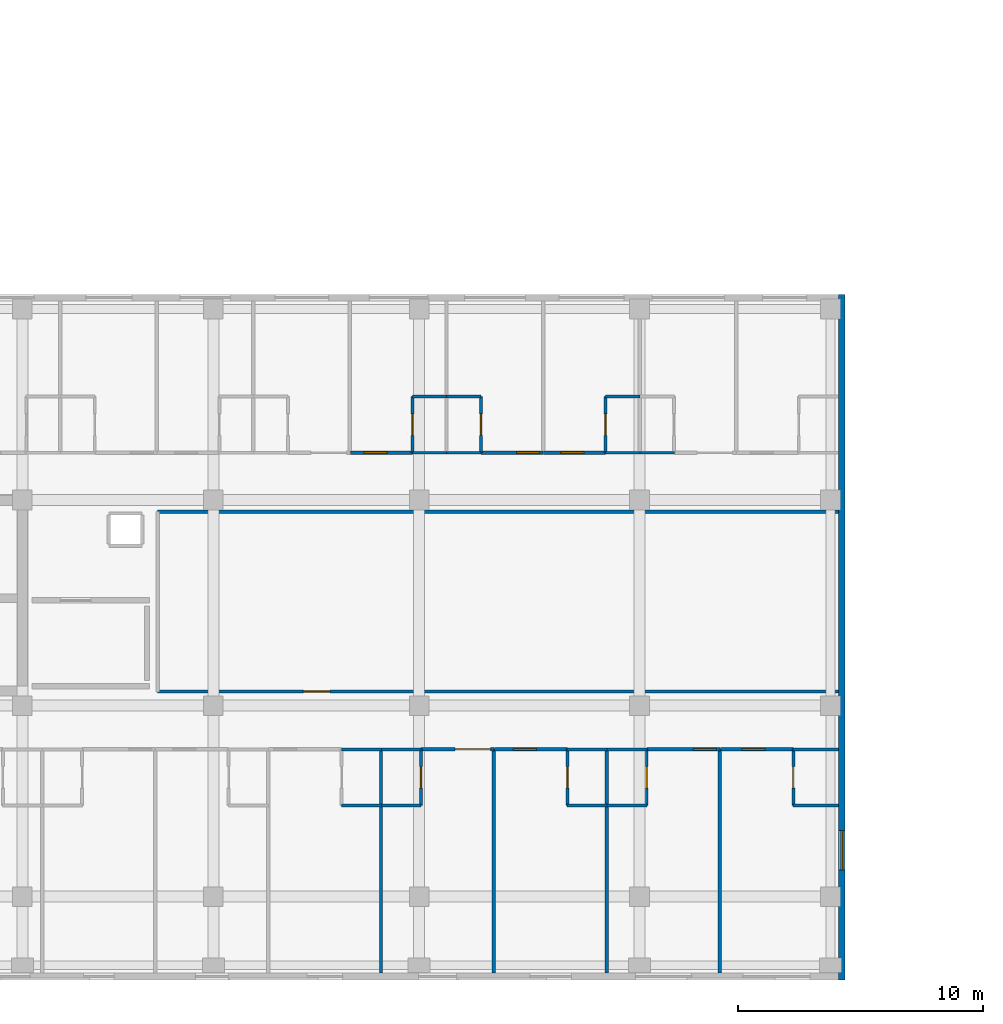
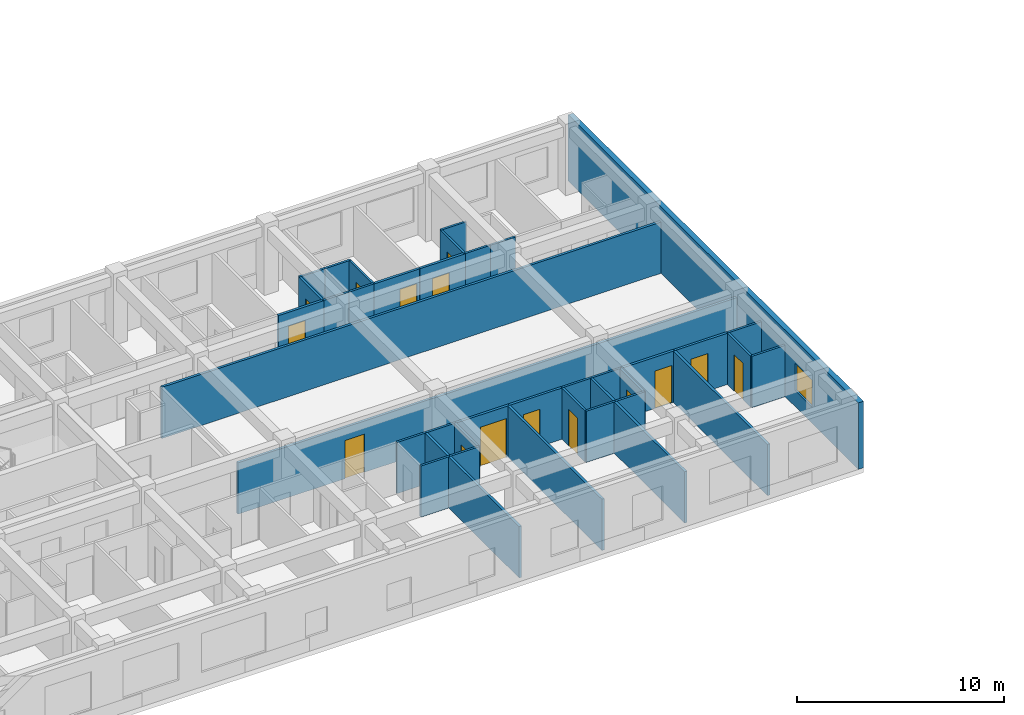
# One storey, part 110 of 123: 38 walls, 15 doors, 1 window, 16 openings.
"""IFC4 building model written with IfcOpenShell, lengths in metres."""

from ifc_helpers import new_model, si_unit, direction, frame, frame_2d, origin, place, context, subcontext, project, spatial, rectangle, extrude, material, layer, layer_set, type_object, element, fill, save


model = new_model("IFC4")

# Units and contexts
model_context = context("Model", 3, precision=1e-05, world=origin(), true_north=direction((0.0, 1.0)))
body_context = subcontext(model_context, "Body", "Model", "MODEL_VIEW")
ifc_project = project(units=[si_unit("LENGTHUNIT", "METRE"), si_unit("AREAUNIT", "SQUARE_METRE"), si_unit("VOLUMEUNIT", "CUBIC_METRE"), si_unit("PLANEANGLEUNIT", "RADIAN"), si_unit("MASSUNIT", "GRAM", prefix="KILO")], contexts=[model_context])

# Site, building, storey
site_placement = place(None, origin())
site = spatial("IfcSite", under=ifc_project, at=site_placement, CompositionType="ELEMENT")
building_placement = place(site_placement, origin())
building = spatial("IfcBuilding", under=site, at=building_placement, Name="Zayran Congress Hotel", CompositionType="ELEMENT")
storey_placement = place(building_placement, frame((0.0, 0.0, 15.0)))
storey = spatial("IfcBuildingStorey", under=building, at=storey_placement, Name="L03", CompositionType="ELEMENT", Elevation=15.0)

# Wall, opening, window
ifc_material_1 = material(Name="Hajar Ma'ani limestone cavity wall and concrete C32/40", Category="masonry")
ifc_layer_1 = layer(ifc_material_1, 0.280029296875)
ifc_layer_set_1 = layer_set([ifc_layer_1], Name="Hajar Ma'ani limestone cavity wall and concrete C32/40")
wall_type_1 = type_object("IfcWallType", Name="WL-EX-280", PredefinedType="SOLIDWALL", material=ifc_layer_set_1)
wall_1_placement = place(storey_placement, frame((92.260009765625, 34.0, 0.0), z_axis=(0.0, 0.0, 1.0), x_axis=(0.0, -1.0, 0.0)))
wall_1 = element("IfcWall", 1, at=wall_1_placement, inside=storey, type_object=wall_type_1, Name="EW-V5-E-L03", PredefinedType="SOLIDWALL", context=body_context, shape_type="SweptSolid", body=[
    extrude(rectangle(XDim=28.0, YDim=0.280029296875, at=frame_2d((14.0, 0.0))), origin(), (0.0, 0.0, 1.0), 3.919921875),
])
opening_1_placement = place(wall_1_placement, frame((21.89990234375, 0.0, 0.949951171875)))
opening_1 = element("IfcOpeningElement", 2, at=opening_1_placement, cuts=wall_1, Name="Opening WN-15", PredefinedType="OPENING", context=body_context, shape_type="SweptSolid", body=[
    extrude(rectangle(XDim=1.60009765625, YDim=1.60009765625, at=frame_2d((0.800048828125, 0.800048828125))), frame((0.0, 0.14990234375, 0.0), z_axis=(0.0, -1.0, 0.0), x_axis=(1.0, 0.0, 0.0)), (0.0, 0.0, 1.0), 0.300048828125),
])
ifc_material_2 = material(Name="Anodised aluminium and low-E insulated glass", Category="aluminium")
window_type = type_object("IfcWindowType", Name="TP-WN-15", PartitioningType="SINGLE_PANEL", PredefinedType="WINDOW", material=ifc_material_2)
window_placement = place(opening_1_placement, origin())
window = element("IfcWindow", 3, at=window_placement, inside=storey, type_object=window_type, Name="WIN-V5E-L03", OverallHeight=1.60009765625, OverallWidth=1.60009765625, PartitioningType="SINGLE_PANEL", PredefinedType="WINDOW", context=body_context, shape_type="SweptSolid", body=[
    extrude(rectangle(XDim=1.60009765625, YDim=1.60009765625, at=frame_2d((0.800048828125, 0.800048828125))), frame((0.0, 0.030029296875, 0.0), z_axis=(0.0, -1.0, 0.0), x_axis=(1.0, 0.0, 0.0)), (0.0, 0.0, 1.0), 0.06005859375),
])
fill(opening_1, window)

# Wall, opening, door
ifc_material_3 = material(Name="Hospitality guestroom acoustic partition", Category="gypsum")
ifc_layer_2 = layer(ifc_material_3, 0.139892578125)
ifc_layer_set_2 = layer_set([ifc_layer_2], Name="Hospitality guestroom acoustic partition")
wall_type_2 = type_object("IfcWallType", Name="WL-PT-140", PredefinedType="PARTITIONING", material=ifc_layer_set_2)
wall_2_placement = place(storey_placement, frame((64.320068359375, 17.780029296875, 0.0), z_axis=(0.0, 0.0, 1.0), x_axis=(1.0, 0.0, 0.0)))
wall_2 = element("IfcWall", 4, at=wall_2_placement, inside=storey, type_object=wall_type_2, Name="IW-L03-0570", PredefinedType="PARTITIONING", context=body_context, shape_type="SweptSolid", body=[
    extrude(rectangle(XDim=27.800048828125, YDim=0.139892578125, at=frame_2d((13.89990234375, 0.0))), origin(), (0.0, 0.0, 1.0), 3.02001953125),
])
opening_2_placement = place(wall_2_placement, frame((5.9580078125, 0.0, 0.0)))
opening_2 = element("IfcOpeningElement", 5, at=opening_2_placement, cuts=wall_2, Name="Opening DR-MT-01", PredefinedType="OPENING", context=body_context, shape_type="SweptSolid", body=[
    extrude(rectangle(XDim=1.080078125, YDim=2.25, at=frame_2d((0.5400390625, 1.125))), frame((0.0, 0.079833984375, 0.0), z_axis=(0.0, -1.0, 0.0), x_axis=(1.0, 0.0, 0.0)), (0.0, 0.0, 1.0), 0.159912109375),
])
ifc_material_4 = material(Name="Acoustic timber seminar room door", Category="wood")
door_type_1 = type_object("IfcDoorType", Name="TP-DR-MT-01", OperationType="NOTDEFINED", PredefinedType="DOOR", material=ifc_material_4)
door_1_placement = place(opening_2_placement, origin())
door_1 = element("IfcDoor", 6, at=door_1_placement, inside=storey, type_object=door_type_1, Name="Delegate Study Salon East L03 Door", OperationType="SINGLE_SWING_RIGHT", OverallHeight=2.25, OverallWidth=1.080078125, PredefinedType="DOOR", context=body_context, shape_type="SweptSolid", body=[
    extrude(rectangle(XDim=1.080078125, YDim=2.25, at=frame_2d((0.5400390625, 1.125))), frame((0.0, 0.02490234375, 0.0), z_axis=(0.0, -1.0, 0.0), x_axis=(1.0, 0.0, 0.0)), (0.0, 0.0, 1.0), 0.050048828125),
])
fill(opening_2, door_1)

wall_3_placement = place(storey_placement, frame((75.074951171875, 15.419921875, 0.0), z_axis=(0.0, 0.0, 1.0), x_axis=(1.0, 0.0, 0.0)))
wall_3 = element("IfcWall", 7, at=wall_3_placement, inside=storey, type_object=wall_type_2, Name="IW-L03-0585", PredefinedType="PARTITIONING", context=body_context, shape_type="SweptSolid", body=[
    extrude(rectangle(XDim=2.98193359375, YDim=0.139892578125, at=frame_2d((1.490966796875, 0.0))), origin(), (0.0, 0.0, 1.0), 3.02001953125),
])
opening_3_placement = place(wall_3_placement, frame((1.39208984375, 0.0, 0.0)))
opening_3 = element("IfcOpeningElement", 8, at=opening_3_placement, cuts=wall_3, Name="Opening DR-ST-01", PredefinedType="OPENING", context=body_context, shape_type="SweptSolid", body=[
    extrude(rectangle(XDim=1.449951171875, YDim=2.300048828125, at=frame_2d((0.72509765625, 1.14990234375))), frame((0.0, 0.079833984375, 0.0), z_axis=(0.0, -1.0, 0.0), x_axis=(1.0, 0.0, 0.0)), (0.0, 0.0, 1.0), 0.159912109375),
])
ifc_material_5 = material(Name="Double walnut veneer suite entry door", Category="wood")
door_type_2 = type_object("IfcDoorType", Name="TP-DR-ST-01", OperationType="DOUBLE_DOOR_SINGLE_SWING", PredefinedType="DOOR", material=ifc_material_5)
door_2_placement = place(opening_3_placement, origin())
door_2 = element("IfcDoor", 9, at=door_2_placement, inside=storey, type_object=door_type_2, Name="Junior Suite L03-15 Door", OperationType="DOUBLE_DOOR_SINGLE_SWING", OverallHeight=2.300048828125, OverallWidth=1.449951171875, PredefinedType="DOOR", context=body_context, shape_type="SweptSolid", body=[
    extrude(rectangle(XDim=1.449951171875, YDim=2.300048828125, at=frame_2d((0.72509765625, 1.14990234375))), frame((0.0, 0.02490234375, 0.0), z_axis=(0.0, -1.0, 0.0), x_axis=(1.0, 0.0, 0.0)), (0.0, 0.0, 1.0), 0.050048828125),
])
fill(opening_3, door_2)

wall_4_placement = place(storey_placement, frame((78.076904296875, 15.419921875, 0.0), z_axis=(0.0, 0.0, 1.0), x_axis=(1.0, 0.0, 0.0)))
wall_4 = element("IfcWall", 10, at=wall_4_placement, inside=storey, type_object=wall_type_2, Name="IW-L03-0586", PredefinedType="PARTITIONING", context=body_context, shape_type="SweptSolid", body=[
    extrude(rectangle(XDim=2.982177734375, YDim=0.139892578125, at=frame_2d((1.4912109375, 0.0))), origin(), (0.0, 0.0, 1.0), 3.02001953125),
])
opening_4_placement = place(wall_4_placement, frame((0.76904296875, 0.0, 0.0)))
opening_4 = element("IfcOpeningElement", 11, at=opening_4_placement, cuts=wall_4, Name="Opening DR-GR-01", PredefinedType="OPENING", context=body_context, shape_type="SweptSolid", body=[
    extrude(rectangle(XDim=0.93994140625, YDim=2.199951171875, at=frame_2d((0.469970703125, 1.10009765625))), frame((0.0, 0.079833984375, 0.0), z_axis=(0.0, -1.0, 0.0), x_axis=(1.0, 0.0, 0.0)), (0.0, 0.0, 1.0), 0.159912109375),
])
ifc_material_6 = material(Name="Acoustic walnut veneer fire-rated entry door", Category="wood")
door_type_3 = type_object("IfcDoorType", Name="TP-DR-GR-01", OperationType="NOTDEFINED", PredefinedType="DOOR", material=ifc_material_6)
door_3_placement = place(opening_4_placement, origin())
door_3 = element("IfcDoor", 12, at=door_3_placement, inside=storey, type_object=door_type_3, Name="Guest Room L03-16 Door", OperationType="SINGLE_SWING_LEFT", OverallHeight=2.199951171875, OverallWidth=0.93994140625, PredefinedType="DOOR", context=body_context, shape_type="SweptSolid", body=[
    extrude(rectangle(XDim=0.93994140625, YDim=2.199951171875, at=frame_2d((0.469970703125, 1.10009765625))), frame((0.0, 0.02490234375, 0.0), z_axis=(0.0, -1.0, 0.0), x_axis=(1.0, 0.0, 0.0)), (0.0, 0.0, 1.0), 0.050048828125),
])
fill(opening_4, door_3)

wall_5_placement = place(storey_placement, frame((84.297119140625, 15.419921875, 0.0), z_axis=(0.0, 0.0, 1.0), x_axis=(1.0, 0.0, 0.0)))
wall_5 = element("IfcWall", 13, at=wall_5_placement, inside=storey, type_object=wall_type_2, Name="IW-L03-0587", PredefinedType="PARTITIONING", context=body_context, shape_type="SweptSolid", body=[
    extrude(rectangle(XDim=2.98193359375, YDim=0.139892578125, at=frame_2d((1.490966796875, 0.0))), origin(), (0.0, 0.0, 1.0), 3.02001953125),
])
opening_5_placement = place(wall_5_placement, frame((1.902099609375, 0.0, 0.0)))
opening_5 = element("IfcOpeningElement", 14, at=opening_5_placement, cuts=wall_5, Name="Opening DR-GR-01", PredefinedType="OPENING", context=body_context, shape_type="SweptSolid", body=[
    extrude(rectangle(XDim=0.93994140625, YDim=2.199951171875, at=frame_2d((0.469970703125, 1.10009765625))), frame((0.0, 0.079833984375, 0.0), z_axis=(0.0, -1.0, 0.0), x_axis=(1.0, 0.0, 0.0)), (0.0, 0.0, 1.0), 0.159912109375),
])
door_4_placement = place(opening_5_placement, origin())
door_4 = element("IfcDoor", 15, at=door_4_placement, inside=storey, type_object=door_type_3, Name="Guest Room L03-17 Door", OperationType="SINGLE_SWING_RIGHT", OverallHeight=2.199951171875, OverallWidth=0.93994140625, PredefinedType="DOOR", context=body_context, shape_type="SweptSolid", body=[
    extrude(rectangle(XDim=0.93994140625, YDim=2.199951171875, at=frame_2d((0.469970703125, 1.10009765625))), frame((0.0, 0.02490234375, 0.0), z_axis=(0.0, -1.0, 0.0), x_axis=(1.0, 0.0, 0.0)), (0.0, 0.0, 1.0), 0.050048828125),
])
fill(opening_5, door_4)

wall_6_placement = place(storey_placement, frame((87.299072265625, 15.419921875, 0.0), z_axis=(0.0, 0.0, 1.0), x_axis=(1.0, 0.0, 0.0)))
wall_6 = element("IfcWall", 16, at=wall_6_placement, inside=storey, type_object=wall_type_2, Name="IW-L03-0588", PredefinedType="PARTITIONING", context=body_context, shape_type="SweptSolid", body=[
    extrude(rectangle(XDim=2.98193359375, YDim=0.139892578125, at=frame_2d((1.490966796875, 0.0))), origin(), (0.0, 0.0, 1.0), 3.02001953125),
])
opening_6_placement = place(wall_6_placement, frame((0.89501953125, 0.0, 0.0)))
opening_6 = element("IfcOpeningElement", 17, at=opening_6_placement, cuts=wall_6, Name="Opening DR-GR-01", PredefinedType="OPENING", context=body_context, shape_type="SweptSolid", body=[
    extrude(rectangle(XDim=0.93994140625, YDim=2.199951171875, at=frame_2d((0.469970703125, 1.10009765625))), frame((0.0, 0.079833984375, 0.0), z_axis=(0.0, -1.0, 0.0), x_axis=(1.0, 0.0, 0.0)), (0.0, 0.0, 1.0), 0.159912109375),
])
door_5_placement = place(opening_6_placement, origin())
door_5 = element("IfcDoor", 18, at=door_5_placement, inside=storey, type_object=door_type_3, Name="Guest Room L03-18 Door", OperationType="SINGLE_SWING_LEFT", OverallHeight=2.199951171875, OverallWidth=0.93994140625, PredefinedType="DOOR", context=body_context, shape_type="SweptSolid", body=[
    extrude(rectangle(XDim=0.93994140625, YDim=2.199951171875, at=frame_2d((0.469970703125, 1.10009765625))), frame((0.0, 0.02490234375, 0.0), z_axis=(0.0, -1.0, 0.0), x_axis=(1.0, 0.0, 0.0)), (0.0, 0.0, 1.0), 0.050048828125),
])
fill(opening_6, door_5)

wall_7_placement = place(storey_placement, frame((72.196044921875, 27.530029296875, 0.0), z_axis=(0.0, 0.0, 1.0), x_axis=(1.0, 0.0, 0.0)))
wall_7 = element("IfcWall", 19, at=wall_7_placement, inside=storey, type_object=wall_type_2, Name="IW-L03-0604", PredefinedType="PARTITIONING", context=body_context, shape_type="SweptSolid", body=[
    extrude(rectangle(XDim=2.534912109375, YDim=0.139892578125, at=frame_2d((1.267578125, 0.0))), origin(), (0.0, 0.0, 1.0), 3.02001953125),
])
opening_7_placement = place(wall_7_placement, frame((0.56298828125, 0.0, 0.0)))
opening_7 = element("IfcOpeningElement", 20, at=opening_7_placement, cuts=wall_7, Name="Opening DR-GR-01", PredefinedType="OPENING", context=body_context, shape_type="SweptSolid", body=[
    extrude(rectangle(XDim=0.93994140625, YDim=2.199951171875, at=frame_2d((0.469970703125, 1.10009765625))), frame((0.0, 0.079833984375, 0.0), z_axis=(0.0, -1.0, 0.0), x_axis=(1.0, 0.0, 0.0)), (0.0, 0.0, 1.0), 0.159912109375),
])
door_6_placement = place(opening_7_placement, origin())
door_6 = element("IfcDoor", 21, at=door_6_placement, inside=storey, type_object=door_type_3, Name="Guest Room L03-32 Door", OperationType="SINGLE_SWING_RIGHT", OverallHeight=2.199951171875, OverallWidth=0.93994140625, PredefinedType="DOOR", context=body_context, shape_type="SweptSolid", body=[
    extrude(rectangle(XDim=0.93994140625, YDim=2.199951171875, at=frame_2d((0.469970703125, 1.10009765625))), frame((0.0, 0.02490234375, 0.0), z_axis=(0.0, -1.0, 0.0), x_axis=(1.0, 0.0, 0.0)), (0.0, 0.0, 1.0), 0.050048828125),
])
fill(opening_7, door_6)

wall_8_placement = place(storey_placement, frame((77.527099609375, 27.530029296875, 0.0), z_axis=(0.0, 0.0, 1.0), x_axis=(1.0, 0.0, 0.0)))
wall_8 = element("IfcWall", 22, at=wall_8_placement, inside=storey, type_object=wall_type_2, Name="IW-L03-0605", PredefinedType="PARTITIONING", context=body_context, shape_type="SweptSolid", body=[
    extrude(rectangle(XDim=2.534912109375, YDim=0.139892578125, at=frame_2d((1.267578125, 0.0))), origin(), (0.0, 0.0, 1.0), 3.02001953125),
])
opening_8_placement = place(wall_8_placement, frame((1.455078125, 0.0, 0.0)))
opening_8 = element("IfcOpeningElement", 23, at=opening_8_placement, cuts=wall_8, Name="Opening DR-GR-01", PredefinedType="OPENING", context=body_context, shape_type="SweptSolid", body=[
    extrude(rectangle(XDim=0.93994140625, YDim=2.199951171875, at=frame_2d((0.469970703125, 1.10009765625))), frame((0.0, 0.079833984375, 0.0), z_axis=(0.0, -1.0, 0.0), x_axis=(1.0, 0.0, 0.0)), (0.0, 0.0, 1.0), 0.159912109375),
])
door_7_placement = place(opening_8_placement, origin())
door_7 = element("IfcDoor", 24, at=door_7_placement, inside=storey, type_object=door_type_3, Name="Guest Room L03-33 Door", OperationType="SINGLE_SWING_LEFT", OverallHeight=2.199951171875, OverallWidth=0.93994140625, PredefinedType="DOOR", context=body_context, shape_type="SweptSolid", body=[
    extrude(rectangle(XDim=0.93994140625, YDim=2.199951171875, at=frame_2d((0.469970703125, 1.10009765625))), frame((0.0, 0.02490234375, 0.0), z_axis=(0.0, -1.0, 0.0), x_axis=(1.0, 0.0, 0.0)), (0.0, 0.0, 1.0), 0.050048828125),
])
fill(opening_8, door_7)

wall_9_placement = place(storey_placement, frame((80.08203125, 27.530029296875, 0.0), z_axis=(0.0, 0.0, 1.0), x_axis=(1.0, 0.0, 0.0)))
wall_9 = element("IfcWall", 25, at=wall_9_placement, inside=storey, type_object=wall_type_2, Name="IW-L03-0606", PredefinedType="PARTITIONING", context=body_context, shape_type="SweptSolid", body=[
    extrude(rectangle(XDim=2.533935546875, YDim=0.139892578125, at=frame_2d((1.26708984375, 0.0))), origin(), (0.0, 0.0, 1.0), 3.02001953125),
])
opening_9_placement = place(wall_9_placement, frame((0.702880859375, 0.0, 0.0)))
opening_9 = element("IfcOpeningElement", 26, at=opening_9_placement, cuts=wall_9, Name="Opening DR-GR-01", PredefinedType="OPENING", context=body_context, shape_type="SweptSolid", body=[
    extrude(rectangle(XDim=0.93994140625, YDim=2.199951171875, at=frame_2d((0.469970703125, 1.10009765625))), frame((0.0, 0.079833984375, 0.0), z_axis=(0.0, -1.0, 0.0), x_axis=(1.0, 0.0, 0.0)), (0.0, 0.0, 1.0), 0.159912109375),
])
door_8_placement = place(opening_9_placement, origin())
door_8 = element("IfcDoor", 27, at=door_8_placement, inside=storey, type_object=door_type_3, Name="Guest Room L03-34 Door", OperationType="SINGLE_SWING_RIGHT", OverallHeight=2.199951171875, OverallWidth=0.93994140625, PredefinedType="DOOR", context=body_context, shape_type="SweptSolid", body=[
    extrude(rectangle(XDim=0.93994140625, YDim=2.199951171875, at=frame_2d((0.469970703125, 1.10009765625))), frame((0.0, 0.02490234375, 0.0), z_axis=(0.0, -1.0, 0.0), x_axis=(1.0, 0.0, 0.0)), (0.0, 0.0, 1.0), 0.050048828125),
])
fill(opening_9, door_8)

# Walls
wall_10_placement = place(storey_placement, frame((64.320068359375, 25.1201171875, 0.0), z_axis=(0.0, 0.0, 1.0), x_axis=(1.0, 0.0, 0.0)))
element("IfcWall", 28, at=wall_10_placement, inside=storey, type_object=wall_type_2, Name="IW-L03-1891", PredefinedType="PARTITIONING", context=body_context, shape_type="SweptSolid", body=[
    extrude(rectangle(XDim=27.800048828125, YDim=0.139892578125, at=frame_2d((13.89990234375, 0.0))), origin(), (0.0, 0.0, 1.0), 3.02001953125),
])
for number, where, z_axis, x_axis, name in (
    (29, (73.446044921875, 6.280029296875, 0.0), (0.0, 0.0, 1.0), (0.0, 1.0, 0.0), "IW-L03-1906"),
    (30, (78.056884765625, 6.280029296875, 0.0), (0.0, 0.0, 1.0), (0.0, 1.0, 0.0), "IW-L03-1907"),
    (31, (82.66796875, 6.280029296875, 0.0), (0.0, 0.0, 1.0), (0.0, 1.0, 0.0), "IW-L03-1908"),
    (32, (87.279052734375, 6.280029296875, 0.0), (0.0, 0.0, 1.0), (0.0, 1.0, 0.0), "IW-L03-1909"),
):
    element("IfcWall", number, at=place(storey_placement, frame(where, z_axis=z_axis, x_axis=x_axis)), inside=storey, type_object=wall_type_2, Name=name, PredefinedType="PARTITIONING", context=body_context, shape_type="SweptSolid", body=[
        extrude(rectangle(XDim=9.14990234375, YDim=0.139892578125, at=frame_2d((4.574951171875, 0.0))), origin(), (0.0, 0.0, 1.0), 3.02001953125),
    ])

# Wall, opening, door
ifc_material_7 = material(Name="Moisture-resistant bathroom partition", Category="gypsum")
ifc_layer_3 = layer(ifc_material_7, 0.1201171875)
ifc_layer_set_3 = layer_set([ifc_layer_3], Name="Moisture-resistant bathroom partition")
wall_type_3 = type_object("IfcWallType", Name="WL-PT-120", PredefinedType="PARTITIONING", material=ifc_layer_set_3)
wall_11_placement = place(storey_placement, frame((75.074951171875, 13.1201171875, 0.0), z_axis=(0.0, 0.0, 1.0), x_axis=(0.0, 1.0, 0.0)))
wall_11 = element("IfcWall", 33, at=wall_11_placement, inside=storey, type_object=wall_type_3, Name="IW-L03-0105", PredefinedType="PARTITIONING", context=body_context, shape_type="SweptSolid", body=[
    extrude(rectangle(XDim=2.309814453125, YDim=0.1201171875, at=frame_2d((1.15478515625, 0.0))), origin(), (0.0, 0.0, 1.0), 3.02001953125),
])
opening_10_placement = place(wall_11_placement, frame((0.715087890625, 0.0, 0.0)))
opening_10 = element("IfcOpeningElement", 34, at=opening_10_placement, cuts=wall_11, Name="Opening DR-BT-01", PredefinedType="OPENING", context=body_context, shape_type="SweptSolid", body=[
    extrude(rectangle(XDim=0.8798828125, YDim=2.14990234375, at=frame_2d((0.43994140625, 1.074951171875))), frame((0.0, 0.070068359375, 0.0), z_axis=(0.0, -1.0, 0.0), x_axis=(1.0, 0.0, 0.0)), (0.0, 0.0, 1.0), 0.14013671875),
])
ifc_material_8 = material(Name="Moisture-resistant oak en-suite door", Category="wood")
door_type_4 = type_object("IfcDoorType", Name="TP-DR-BT-01", OperationType="NOTDEFINED", PredefinedType="DOOR", material=ifc_material_8)
door_9_placement = place(opening_10_placement, origin())
door_9 = element("IfcDoor", 35, at=door_9_placement, inside=storey, type_object=door_type_4, Name="En-Suite Bathroom L03-15 Door", OperationType="SINGLE_SWING_RIGHT", OverallHeight=2.14990234375, OverallWidth=0.8798828125, PredefinedType="DOOR", context=body_context, shape_type="SweptSolid", body=[
    extrude(rectangle(XDim=0.8798828125, YDim=2.14990234375, at=frame_2d((0.43994140625, 1.074951171875))), frame((0.0, 0.02490234375, 0.0), z_axis=(0.0, -1.0, 0.0), x_axis=(1.0, 0.0, 0.0)), (0.0, 0.0, 1.0), 0.050048828125),
])
fill(opening_10, door_9)

wall_12_placement = place(storey_placement, frame((81.05908203125, 13.1201171875, 0.0), z_axis=(0.0, 0.0, 1.0), x_axis=(0.0, 1.0, 0.0)))
wall_12 = element("IfcWall", 36, at=wall_12_placement, inside=storey, type_object=wall_type_3, Name="IW-L03-0106", PredefinedType="PARTITIONING", context=body_context, shape_type="SweptSolid", body=[
    extrude(rectangle(XDim=2.309814453125, YDim=0.1201171875, at=frame_2d((1.15478515625, 0.0))), origin(), (0.0, 0.0, 1.0), 3.02001953125),
])
opening_11_placement = place(wall_12_placement, frame((0.715087890625, 0.0, 0.0)))
opening_11 = element("IfcOpeningElement", 37, at=opening_11_placement, cuts=wall_12, Name="Opening DR-BT-01", PredefinedType="OPENING", context=body_context, shape_type="SweptSolid", body=[
    extrude(rectangle(XDim=0.8798828125, YDim=2.14990234375, at=frame_2d((0.43994140625, 1.074951171875))), frame((0.0, 0.070068359375, 0.0), z_axis=(0.0, -1.0, 0.0), x_axis=(1.0, 0.0, 0.0)), (0.0, 0.0, 1.0), 0.14013671875),
])
door_10_placement = place(opening_11_placement, origin())
door_10 = element("IfcDoor", 38, at=door_10_placement, inside=storey, type_object=door_type_4, Name="En-Suite Bathroom L03-16 Door", OperationType="SINGLE_SWING_LEFT", OverallHeight=2.14990234375, OverallWidth=0.8798828125, PredefinedType="DOOR", context=body_context, shape_type="SweptSolid", body=[
    extrude(rectangle(XDim=0.8798828125, YDim=2.14990234375, at=frame_2d((0.43994140625, 1.074951171875))), frame((0.0, 0.02490234375, 0.0), z_axis=(0.0, -1.0, 0.0), x_axis=(1.0, 0.0, 0.0)), (0.0, 0.0, 1.0), 0.050048828125),
])
fill(opening_11, door_10)

wall_13_placement = place(storey_placement, frame((84.297119140625, 13.1201171875, 0.0), z_axis=(0.0, 0.0, 1.0), x_axis=(0.0, 1.0, 0.0)))
wall_13 = element("IfcWall", 39, at=wall_13_placement, inside=storey, type_object=wall_type_3, Name="IW-L03-0107", PredefinedType="PARTITIONING", context=body_context, shape_type="SweptSolid", body=[
    extrude(rectangle(XDim=2.309814453125, YDim=0.1201171875, at=frame_2d((1.15478515625, 0.0))), origin(), (0.0, 0.0, 1.0), 3.02001953125),
])
opening_12_placement = place(wall_13_placement, frame((0.715087890625, 0.0, 0.0)))
opening_12 = element("IfcOpeningElement", 40, at=opening_12_placement, cuts=wall_13, Name="Opening DR-BT-01", PredefinedType="OPENING", context=body_context, shape_type="SweptSolid", body=[
    extrude(rectangle(XDim=0.8798828125, YDim=2.14990234375, at=frame_2d((0.43994140625, 1.074951171875))), frame((0.0, 0.070068359375, 0.0), z_axis=(0.0, -1.0, 0.0), x_axis=(1.0, 0.0, 0.0)), (0.0, 0.0, 1.0), 0.14013671875),
])
door_11_placement = place(opening_12_placement, origin())
door_11 = element("IfcDoor", 41, at=door_11_placement, inside=storey, type_object=door_type_4, Name="En-Suite Bathroom L03-17 Door", OperationType="SINGLE_SWING_RIGHT", OverallHeight=2.14990234375, OverallWidth=0.8798828125, PredefinedType="DOOR", context=body_context, shape_type="SweptSolid", body=[
    extrude(rectangle(XDim=0.8798828125, YDim=2.14990234375, at=frame_2d((0.43994140625, 1.074951171875))), frame((0.0, 0.02490234375, 0.0), z_axis=(0.0, -1.0, 0.0), x_axis=(1.0, 0.0, 0.0)), (0.0, 0.0, 1.0), 0.050048828125),
])
fill(opening_12, door_11)

wall_14_placement = place(storey_placement, frame((90.281005859375, 13.1201171875, 0.0), z_axis=(0.0, 0.0, 1.0), x_axis=(0.0, 1.0, 0.0)))
wall_14 = element("IfcWall", 42, at=wall_14_placement, inside=storey, type_object=wall_type_3, Name="IW-L03-0108", PredefinedType="PARTITIONING", context=body_context, shape_type="SweptSolid", body=[
    extrude(rectangle(XDim=2.309814453125, YDim=0.1201171875, at=frame_2d((1.15478515625, 0.0))), origin(), (0.0, 0.0, 1.0), 3.02001953125),
])
opening_13_placement = place(wall_14_placement, frame((0.715087890625, 0.0, 0.0)))
opening_13 = element("IfcOpeningElement", 43, at=opening_13_placement, cuts=wall_14, Name="Opening DR-BT-01", PredefinedType="OPENING", context=body_context, shape_type="SweptSolid", body=[
    extrude(rectangle(XDim=0.8798828125, YDim=2.14990234375, at=frame_2d((0.43994140625, 1.074951171875))), frame((0.0, 0.070068359375, 0.0), z_axis=(0.0, -1.0, 0.0), x_axis=(1.0, 0.0, 0.0)), (0.0, 0.0, 1.0), 0.14013671875),
])
door_12_placement = place(opening_13_placement, origin())
door_12 = element("IfcDoor", 44, at=door_12_placement, inside=storey, type_object=door_type_4, Name="En-Suite Bathroom L03-18 Door", OperationType="SINGLE_SWING_LEFT", OverallHeight=2.14990234375, OverallWidth=0.8798828125, PredefinedType="DOOR", context=body_context, shape_type="SweptSolid", body=[
    extrude(rectangle(XDim=0.8798828125, YDim=2.14990234375, at=frame_2d((0.43994140625, 1.074951171875))), frame((0.0, 0.02490234375, 0.0), z_axis=(0.0, -1.0, 0.0), x_axis=(1.0, 0.0, 0.0)), (0.0, 0.0, 1.0), 0.050048828125),
])
fill(opening_13, door_12)

wall_15_placement = place(storey_placement, frame((74.73095703125, 27.52001953125, 0.0), z_axis=(0.0, 0.0, 1.0), x_axis=(0.0, 1.0, 0.0)))
wall_15 = element("IfcWall", 45, at=wall_15_placement, inside=storey, type_object=wall_type_3, Name="IW-L03-0122", PredefinedType="PARTITIONING", context=body_context, shape_type="SweptSolid", body=[
    extrude(rectangle(XDim=2.31005859375, YDim=0.1201171875, at=frame_2d((1.155029296875, 0.0))), origin(), (0.0, 0.0, 1.0), 3.02001953125),
])
opening_14_placement = place(wall_15_placement, frame((0.715087890625, 0.0, 0.0)))
opening_14 = element("IfcOpeningElement", 46, at=opening_14_placement, cuts=wall_15, Name="Opening DR-BT-01", PredefinedType="OPENING", context=body_context, shape_type="SweptSolid", body=[
    extrude(rectangle(XDim=0.8798828125, YDim=2.14990234375, at=frame_2d((0.43994140625, 1.074951171875))), frame((0.0, 0.070068359375, 0.0), z_axis=(0.0, -1.0, 0.0), x_axis=(1.0, 0.0, 0.0)), (0.0, 0.0, 1.0), 0.14013671875),
])
door_13_placement = place(opening_14_placement, origin())
door_13 = element("IfcDoor", 47, at=door_13_placement, inside=storey, type_object=door_type_4, Name="En-Suite Bathroom L03-32 Door", OperationType="SINGLE_SWING_LEFT", OverallHeight=2.14990234375, OverallWidth=0.8798828125, PredefinedType="DOOR", context=body_context, shape_type="SweptSolid", body=[
    extrude(rectangle(XDim=0.8798828125, YDim=2.14990234375, at=frame_2d((0.43994140625, 1.074951171875))), frame((0.0, 0.02490234375, 0.0), z_axis=(0.0, -1.0, 0.0), x_axis=(1.0, 0.0, 0.0)), (0.0, 0.0, 1.0), 0.050048828125),
])
fill(opening_14, door_13)

wall_16_placement = place(storey_placement, frame((77.527099609375, 27.52001953125, 0.0), z_axis=(0.0, 0.0, 1.0), x_axis=(0.0, 1.0, 0.0)))
wall_16 = element("IfcWall", 48, at=wall_16_placement, inside=storey, type_object=wall_type_3, Name="IW-L03-0123", PredefinedType="PARTITIONING", context=body_context, shape_type="SweptSolid", body=[
    extrude(rectangle(XDim=2.31005859375, YDim=0.1201171875, at=frame_2d((1.155029296875, 0.0))), origin(), (0.0, 0.0, 1.0), 3.02001953125),
])
opening_15_placement = place(wall_16_placement, frame((0.715087890625, 0.0, 0.0)))
opening_15 = element("IfcOpeningElement", 49, at=opening_15_placement, cuts=wall_16, Name="Opening DR-BT-01", PredefinedType="OPENING", context=body_context, shape_type="SweptSolid", body=[
    extrude(rectangle(XDim=0.8798828125, YDim=2.14990234375, at=frame_2d((0.43994140625, 1.074951171875))), frame((0.0, 0.070068359375, 0.0), z_axis=(0.0, -1.0, 0.0), x_axis=(1.0, 0.0, 0.0)), (0.0, 0.0, 1.0), 0.14013671875),
])
door_14_placement = place(opening_15_placement, origin())
door_14 = element("IfcDoor", 50, at=door_14_placement, inside=storey, type_object=door_type_4, Name="En-Suite Bathroom L03-33 Door", OperationType="SINGLE_SWING_RIGHT", OverallHeight=2.14990234375, OverallWidth=0.8798828125, PredefinedType="DOOR", context=body_context, shape_type="SweptSolid", body=[
    extrude(rectangle(XDim=0.8798828125, YDim=2.14990234375, at=frame_2d((0.43994140625, 1.074951171875))), frame((0.0, 0.02490234375, 0.0), z_axis=(0.0, -1.0, 0.0), x_axis=(1.0, 0.0, 0.0)), (0.0, 0.0, 1.0), 0.050048828125),
])
fill(opening_15, door_14)

wall_17_placement = place(storey_placement, frame((82.615966796875, 27.52001953125, 0.0), z_axis=(0.0, 0.0, 1.0), x_axis=(0.0, 1.0, 0.0)))
wall_17 = element("IfcWall", 51, at=wall_17_placement, inside=storey, type_object=wall_type_3, Name="IW-L03-0124", PredefinedType="PARTITIONING", context=body_context, shape_type="SweptSolid", body=[
    extrude(rectangle(XDim=2.31005859375, YDim=0.1201171875, at=frame_2d((1.155029296875, 0.0))), origin(), (0.0, 0.0, 1.0), 3.02001953125),
])
opening_16_placement = place(wall_17_placement, frame((0.715087890625, 0.0, 0.0)))
opening_16 = element("IfcOpeningElement", 52, at=opening_16_placement, cuts=wall_17, Name="Opening DR-BT-01", PredefinedType="OPENING", context=body_context, shape_type="SweptSolid", body=[
    extrude(rectangle(XDim=0.8798828125, YDim=2.14990234375, at=frame_2d((0.43994140625, 1.074951171875))), frame((0.0, 0.070068359375, 0.0), z_axis=(0.0, -1.0, 0.0), x_axis=(1.0, 0.0, 0.0)), (0.0, 0.0, 1.0), 0.14013671875),
])
door_15_placement = place(opening_16_placement, origin())
door_15 = element("IfcDoor", 53, at=door_15_placement, inside=storey, type_object=door_type_4, Name="En-Suite Bathroom L03-34 Door", OperationType="SINGLE_SWING_LEFT", OverallHeight=2.14990234375, OverallWidth=0.8798828125, PredefinedType="DOOR", context=body_context, shape_type="SweptSolid", body=[
    extrude(rectangle(XDim=0.8798828125, YDim=2.14990234375, at=frame_2d((0.43994140625, 1.074951171875))), frame((0.0, 0.02490234375, 0.0), z_axis=(0.0, -1.0, 0.0), x_axis=(1.0, 0.0, 0.0)), (0.0, 0.0, 1.0), 0.050048828125),
])
fill(opening_16, door_15)

# Walls
for number, where, z_axis, x_axis, name in (
    (54, (71.826904296875, 13.1298828125, 0.0), (0.0, 0.0, 1.0), (1.0, 0.0, 0.0), "IW-L03-1075"),
    (55, (71.826904296875, 15.419921875, 0.0), (0.0, 0.0, 1.0), (1.0, 0.0, 0.0), "IW-L03-1076"),
):
    element("IfcWall", number, at=place(storey_placement, frame(where, z_axis=z_axis, x_axis=x_axis)), inside=storey, type_object=wall_type_3, Name=name, PredefinedType="PARTITIONING", context=body_context, shape_type="SweptSolid", body=[
        extrude(rectangle(XDim=1.629150390625, YDim=0.1201171875, at=frame_2d((0.814453125, 0.0))), origin(), (0.0, 0.0, 1.0), 3.02001953125),
    ])
for number, where, z_axis, x_axis, name in (
    (56, (73.4560546875, 13.1298828125, 0.0), (0.0, 0.0, 1.0), (1.0, 0.0, 0.0), "IW-L03-1077"),
    (57, (73.4560546875, 15.419921875, 0.0), (0.0, 0.0, 1.0), (1.0, 0.0, 0.0), "IW-L03-1078"),
    (58, (81.049072265625, 13.1298828125, 0.0), (0.0, 0.0, 1.0), (1.0, 0.0, 0.0), "IW-L03-1079"),
    (59, (81.049072265625, 15.419921875, 0.0), (0.0, 0.0, 1.0), (1.0, 0.0, 0.0), "IW-L03-1080"),
    (60, (82.677978515625, 13.1298828125, 0.0), (0.0, 0.0, 1.0), (1.0, 0.0, 0.0), "IW-L03-1081"),
    (61, (82.677978515625, 15.419921875, 0.0), (0.0, 0.0, 1.0), (1.0, 0.0, 0.0), "IW-L03-1082"),
):
    element("IfcWall", number, at=place(storey_placement, frame(where, z_axis=z_axis, x_axis=x_axis)), inside=storey, type_object=wall_type_3, Name=name, PredefinedType="PARTITIONING", context=body_context, shape_type="SweptSolid", body=[
        extrude(rectangle(XDim=1.62890625, YDim=0.1201171875, at=frame_2d((0.814453125, 0.0))), origin(), (0.0, 0.0, 1.0), 3.02001953125),
    ])
for number, where, z_axis, x_axis, name in (
    (62, (90.27099609375, 13.1298828125, 0.0), (0.0, 0.0, 1.0), (1.0, 0.0, 0.0), "IW-L03-1083"),
    (63, (90.27099609375, 15.419921875, 0.0), (0.0, 0.0, 1.0), (1.0, 0.0, 0.0), "IW-L03-1084"),
):
    element("IfcWall", number, at=place(storey_placement, frame(where, z_axis=z_axis, x_axis=x_axis)), inside=storey, type_object=wall_type_3, Name=name, PredefinedType="PARTITIONING", context=body_context, shape_type="SweptSolid", body=[
        extrude(rectangle(XDim=1.84912109375, YDim=0.1201171875, at=frame_2d((0.924560546875, 0.0))), origin(), (0.0, 0.0, 1.0), 3.02001953125),
    ])
for number, where, z_axis, x_axis, name in (
    (64, (74.720947265625, 27.530029296875, 0.0), (0.0, 0.0, 1.0), (1.0, 0.0, 0.0), "IW-L03-1111"),
    (65, (74.720947265625, 29.820068359375, 0.0), (0.0, 0.0, 1.0), (1.0, 0.0, 0.0), "IW-L03-1112"),
):
    element("IfcWall", number, at=place(storey_placement, frame(where, z_axis=z_axis, x_axis=x_axis)), inside=storey, type_object=wall_type_3, Name=name, PredefinedType="PARTITIONING", context=body_context, shape_type="SweptSolid", body=[
        extrude(rectangle(XDim=1.407958984375, YDim=0.1201171875, at=frame_2d((0.7041015625, 0.0))), origin(), (0.0, 0.0, 1.0), 3.02001953125),
    ])
for number, where, z_axis, x_axis, name in (
    (66, (76.12890625, 27.530029296875, 0.0), (0.0, 0.0, 1.0), (1.0, 0.0, 0.0), "IW-L03-1113"),
    (67, (76.12890625, 29.820068359375, 0.0), (0.0, 0.0, 1.0), (1.0, 0.0, 0.0), "IW-L03-1114"),
):
    element("IfcWall", number, at=place(storey_placement, frame(where, z_axis=z_axis, x_axis=x_axis)), inside=storey, type_object=wall_type_3, Name=name, PredefinedType="PARTITIONING", context=body_context, shape_type="SweptSolid", body=[
        extrude(rectangle(XDim=1.408203125, YDim=0.1201171875, at=frame_2d((0.7041015625, 0.0))), origin(), (0.0, 0.0, 1.0), 3.02001953125),
    ])
for number, where, z_axis, x_axis, name in (
    (68, (82.60595703125, 27.530029296875, 0.0), (0.0, 0.0, 1.0), (1.0, 0.0, 0.0), "IW-L03-1115"),
    (69, (82.60595703125, 29.820068359375, 0.0), (0.0, 0.0, 1.0), (1.0, 0.0, 0.0), "IW-L03-1116"),
):
    element("IfcWall", number, at=place(storey_placement, frame(where, z_axis=z_axis, x_axis=x_axis)), inside=storey, type_object=wall_type_3, Name=name, PredefinedType="PARTITIONING", context=body_context, shape_type="SweptSolid", body=[
        extrude(rectangle(XDim=1.407958984375, YDim=0.1201171875, at=frame_2d((0.7041015625, 0.0))), origin(), (0.0, 0.0, 1.0), 3.02001953125),
    ])
wall_18_placement = place(storey_placement, frame((84.013916015625, 27.530029296875, 0.0), z_axis=(0.0, 0.0, 1.0), x_axis=(1.0, 0.0, 0.0)))
element("IfcWall", 70, at=wall_18_placement, inside=storey, type_object=wall_type_3, Name="IW-L03-1117", PredefinedType="PARTITIONING", context=body_context, shape_type="SweptSolid", body=[
    extrude(rectangle(XDim=1.408203125, YDim=0.1201171875, at=frame_2d((0.7041015625, 0.0))), origin(), (0.0, 0.0, 1.0), 3.02001953125),
])

save(model, "model.ifc")
